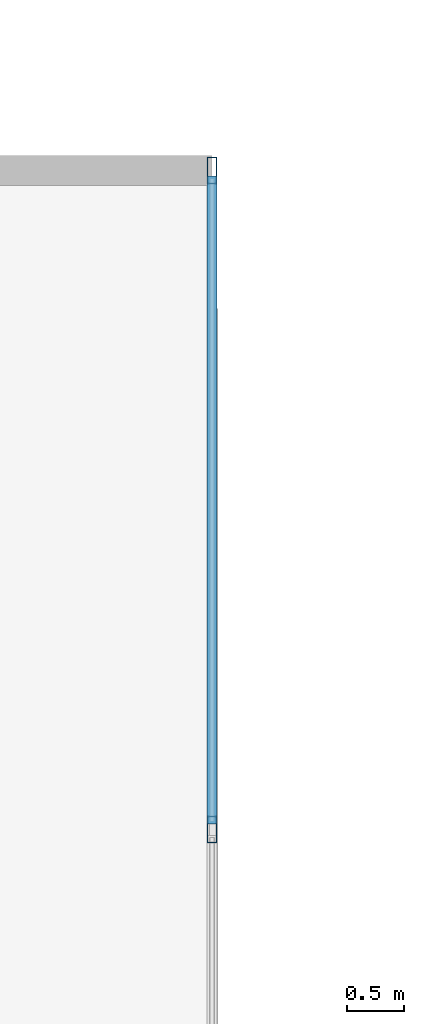
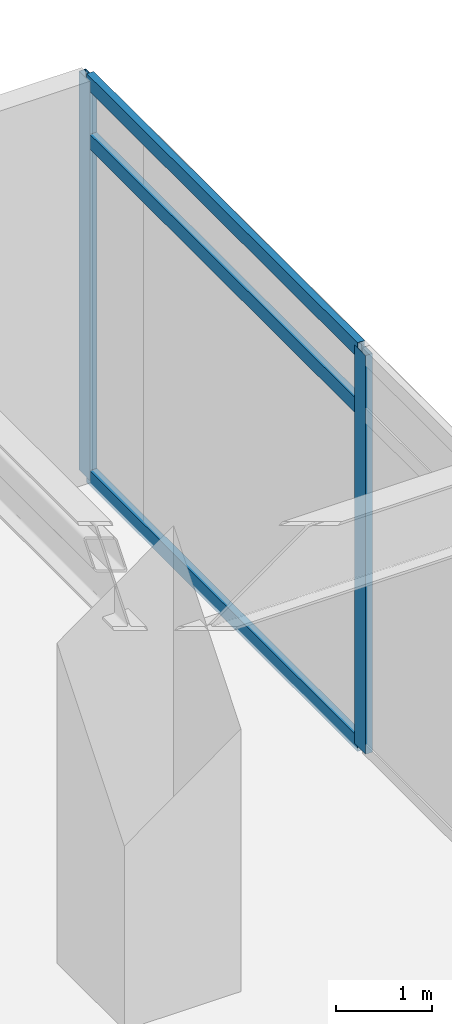
# One storey, part 18 of 24: 5 members, 1 element without a shape of its own.
"""IFC4 building model written with IfcOpenShell, lengths in metres."""

import ifcopenshell
import ifcopenshell.guid

model = None  # the IFC model being written
_history = None  # IfcOwnerHistory: only IFC2X3 demands one
_inside = {}  # id of a spatial element -> (the spatial element, [elements in it])
_under = {}  # id of a project, library or spatial element -> (it, [spatial elements below it])
_declared = {}  # id of a project -> (the project, [libraries it declares])
_typed = {}  # id of a type object -> (the type object, [elements of that type])
_made_of = {}  # id of a material, layer set ... -> (it, [elements and type objects made of it])


def new_model(schema):
    """Start an empty IFC model of exactly this schema.

    Asked for "IFC4X3", IfcOpenShell would pick the latest addendum, in which some entities
    have other attributes; the version numbers below select the first issue.
    IFC2X3 requires an IfcOwnerHistory on every rooted entity: one is made here for all.
    """
    global model, _history
    if schema == "IFC4X3":
        model = ifcopenshell.file(schema_version=(4, 3, 0, 0))
    else:
        model = ifcopenshell.file(schema=schema)
    _inside.clear()
    _under.clear()
    _declared.clear()
    _typed.clear()
    _made_of.clear()
    _history = None
    if model.schema == "IFC2X3":
        org = make("IfcOrganization", Name="unknown")
        user = make(
            "IfcPersonAndOrganization",
            ThePerson=make("IfcPerson", FamilyName="unknown"),
            TheOrganization=org,
        )
        app = make(
            "IfcApplication",
            ApplicationDeveloper=org,
            Version="unknown",
            ApplicationFullName="unknown",
            ApplicationIdentifier="unknown",
        )
        _history = make(
            "IfcOwnerHistory",
            OwningUser=user,
            OwningApplication=app,
            ChangeAction="ADDED",
            CreationDate=0,
        )
    return model


def make(cls, **values):
    """One entity of the class cls with the attributes given. An attribute that is None is left unset."""
    return model.create_entity(
        cls, **{name: value for name, value in values.items() if value is not None}
    )


def rooted(cls, **values):
    """An entity with a GlobalId (a new one), such as an element, a storey or a relation."""
    return make(cls, GlobalId=ifcopenshell.guid.new(), OwnerHistory=_history, **values)


def si_unit(unit_type, name, prefix=None):
    """IfcSIUnit, for example si_unit("LENGTHUNIT", "METRE", prefix="MILLI")."""
    return make("IfcSIUnit", UnitType=unit_type, Prefix=prefix, Name=name)


def assignment(units):
    """IfcUnitAssignment: the units of a project."""
    return None if units is None else make("IfcUnitAssignment", Units=units)


def point(xyz):
    """IfcCartesianPoint."""
    return None if xyz is None else make("IfcCartesianPoint", Coordinates=xyz)


def direction(xyz):
    """IfcDirection."""
    return None if xyz is None else make("IfcDirection", DirectionRatios=xyz)


def frame(location, z_axis=None, x_axis=None):
    """IfcAxis2Placement3D, a coordinate frame: its origin and axes. An axis left out is left unset."""
    return make(
        "IfcAxis2Placement3D",
        Location=point(location),
        Axis=direction(z_axis),
        RefDirection=direction(x_axis),
    )


def frame_2d(location, x_axis=None):
    """IfcAxis2Placement2D, a coordinate frame in the plane: its origin and x axis."""
    return make(
        "IfcAxis2Placement2D", Location=point(location), RefDirection=direction(x_axis)
    )


def origin():
    """The frame at (0, 0, 0) with its axes left unset."""
    return frame((0.0, 0.0, 0.0))


def origin_2d():
    """The frame at (0, 0) in the plane with its x axis left unset."""
    return frame_2d((0.0, 0.0))


def place(relative_to, where):
    """IfcLocalPlacement: puts the frame where relative to a parent placement (None: the world)."""
    return make(
        "IfcLocalPlacement", PlacementRelTo=relative_to, RelativePlacement=where
    )


def context(
    kind, dimensions, precision=None, world=None, true_north=None, identifier=None
):
    """IfcGeometricRepresentationContext, for example the 3D "Model" context."""
    return make(
        "IfcGeometricRepresentationContext",
        ContextIdentifier=identifier,
        ContextType=kind,
        CoordinateSpaceDimension=dimensions,
        Precision=precision,
        WorldCoordinateSystem=world,
        TrueNorth=true_north,
    )


def subcontext(parent, identifier, kind, view, scale=None):
    """IfcGeometricRepresentationSubContext, for example "Body" below "Model"."""
    return make(
        "IfcGeometricRepresentationSubContext",
        ContextIdentifier=identifier,
        ContextType=kind,
        ParentContext=parent,
        TargetScale=scale,
        TargetView=view,
    )


def project(units=None, contexts=None):
    """IfcProject with its units and contexts."""
    return rooted(
        "IfcProject",
        Name="project",
        RepresentationContexts=contexts,
        UnitsInContext=assignment(units),
    )


def spatial(cls, under=None, at=None, **own):
    """A site, building, storey or space (cls), placed at a placement, below another one or the project."""
    s = rooted(cls, ObjectPlacement=at, **own)
    if under is not None:
        _under.setdefault(under.id(), (under, []))[1].append(s)
    return s


def profile(cls, at=None, kind="AREA", **sizes):
    """A parametric profile (cls). Its sizes go by their IFC names, for example OverallWidth=200.0."""
    return make(cls, ProfileType=kind, Position=at, **sizes)


def hollow_rectangle(**sizes):
    """IfcRectangleHollowProfileDef."""
    return profile("IfcRectangleHollowProfileDef", **sizes)


def extrude(swept, where, along, depth):
    """IfcExtrudedAreaSolid: the profile swept, set in the frame where, extruded along a direction by depth."""
    return make(
        "IfcExtrudedAreaSolid",
        SweptArea=swept,
        Position=where,
        ExtrudedDirection=direction(along),
        Depth=depth,
    )


def shape(context_of_items, identifier, shape_type, items):
    """IfcShapeRepresentation: the items that make up one representation, for example the "Body"."""
    return make(
        "IfcShapeRepresentation",
        ContextOfItems=context_of_items,
        RepresentationIdentifier=identifier,
        RepresentationType=shape_type,
        Items=items,
    )


def material(Name=None, Category=None):
    """IfcMaterial."""
    return make("IfcMaterial", Name=Name, Category=Category)


def material_profile(
    of_material, cross_section, Name=None, Category=None, Priority=None
):
    """IfcMaterialProfile: a cross section and its material."""
    return make(
        "IfcMaterialProfile",
        Name=Name,
        Material=of_material,
        Profile=cross_section,
        Priority=Priority,
        Category=Category,
    )


def profile_set(profiles, Name=None, composite=None):
    """IfcMaterialProfileSet."""
    return make(
        "IfcMaterialProfileSet",
        Name=Name,
        MaterialProfiles=profiles,
        CompositeProfile=composite,
    )


def made_of(thing, what):
    """Note that an element or type object is made of a material, layer set ...; save() writes the relation."""
    if what is not None:
        _made_of.setdefault(what.id(), (what, []))[1].append(thing)
    return thing


def type_object(cls, material=None, **own):
    """A type object (cls), such as IfcWallType, which elements share."""
    return made_of(rooted(cls, **own), material)


def element(
    cls,
    number,
    at=None,
    inside=None,
    cuts=None,
    type_object=None,
    material=None,
    context=None,
    identifier="Body",
    shape_type=None,
    held_by="IfcProductDefinitionShape",
    body=None,
    shapes=None,
    **own,
):
    """One element of the class cls, such as IfcWall. Its Tag is "e" and its number.

    at: its placement. inside: the storey or other place that contains it. cuts: it is an
    opening in that element (IfcRelVoidsElement). A single representation is given by context,
    identifier, shape_type and body (its items); several are given by shapes. held_by: the class
    of the entity that holds the representations. save() writes the other relations.
    """
    e = rooted(cls, Tag="e%d" % number, ObjectPlacement=at, **own)
    if body is not None:
        shapes = [shape(context, identifier, shape_type, body)]
    if shapes is not None:
        e.Representation = make(held_by, Representations=shapes)
    if inside is not None:
        _inside.setdefault(inside.id(), (inside, []))[1].append(e)
    if cuts is not None:
        rooted(
            "IfcRelVoidsElement", RelatingBuildingElement=cuts, RelatedOpeningElement=e
        )
    if type_object is not None:
        _typed.setdefault(type_object.id(), (type_object, []))[1].append(e)
    return made_of(e, material)


def aggregate(whole, parts):
    """IfcRelAggregates: a whole, such as a stair, and the parts it consists of."""
    return rooted("IfcRelAggregates", RelatingObject=whole, RelatedObjects=parts)


def save(model, path):
    """Write the relations noted so far, then the file.

    IfcRelAggregates (storeys below a building ...), IfcRelContainedInSpatialStructure (elements
    in a storey), IfcRelDefinesByType, IfcRelAssociatesMaterial and IfcRelDeclares: one each for
    every whole, place, type object, material and project.
    """
    for whole, parts in _under.values():
        aggregate(whole, parts)
    for where, things in _inside.values():
        rooted(
            "IfcRelContainedInSpatialStructure",
            RelatedElements=things,
            RelatingStructure=where,
        )
    for kind, things in _typed.values():
        rooted("IfcRelDefinesByType", RelatedObjects=things, RelatingType=kind)
    for what, things in _made_of.values():
        rooted("IfcRelAssociatesMaterial", RelatedObjects=things, RelatingMaterial=what)
    for by, libraries in _declared.values():
        rooted("IfcRelDeclares", RelatingContext=by, RelatedDefinitions=libraries)
    model.write(path)


model = new_model("IFC4")

# Units and contexts
model_context = context("Model", 3, precision=1e-05, world=origin(), true_north=direction((0.0, 1.0)))
body_context = subcontext(model_context, "Body", "Model", "MODEL_VIEW")
ifc_project = project(units=[si_unit("LENGTHUNIT", "METRE"), si_unit("AREAUNIT", "SQUARE_METRE"), si_unit("VOLUMEUNIT", "CUBIC_METRE"), si_unit("PLANEANGLEUNIT", "RADIAN"), si_unit("MASSUNIT", "GRAM", prefix="KILO")], contexts=[model_context])

# Site, building, storey
site_placement = place(None, origin())
site = spatial("IfcSite", under=ifc_project, at=site_placement, CompositionType="ELEMENT")
building_placement = place(site_placement, origin())
building = spatial("IfcBuilding", under=site, at=building_placement, Name="Kovane Verandah Tower", CompositionType="ELEMENT")
storey_placement = place(building_placement, frame((0.0, 0.0, 194.800048828125)))
storey = spatial("IfcBuildingStorey", under=building, at=storey_placement, Name="L45", CompositionType="ELEMENT", Elevation=194.800048828125)

# Curtain wall, members
ifc_material_1 = material(Name="Champagne Anodised Aluminium Frame with Low-E Clear Laminated Glass", Category="aluminium")
curtain_wall_type = type_object("IfcCurtainWallType", Name="CW-SYS-04-WAIST", PredefinedType="NOTDEFINED", material=ifc_material_1)
curtain_wall_placement = place(storey_placement, origin())
curtain_wall = element("IfcCurtainWall", 1, at=curtain_wall_placement, inside=storey, type_object=curtain_wall_type, Name="L45 E Unitised Curtain Wall", PredefinedType="NOTDEFINED")
ifc_material_2 = material(Name="Champagne Anodised Aluminium 6063-T6", Category="aluminium")
ifc_material_profile_1 = material_profile(ifc_material_2, hollow_rectangle(XDim=0.0849609375, YDim=0.22998046875, WallThickness=0.00390625, at=origin_2d()), Name="AL85x230x4")
ifc_profile_set_1 = profile_set([ifc_material_profile_1], Name="Champagne Anodised Aluminium 6063-T6")
member_type_1 = type_object("IfcMemberType", Name="CW-MUL-85x230", PredefinedType="MULLION", material=ifc_profile_set_1)
member_1_placement = place(storey_placement, frame((62.39990234375, 38.966796875, 0.02001953125), z_axis=(0.0, 0.0, 1.0), x_axis=(1.0, 0.0, 0.0)))
member_1 = element("IfcMember", 2, at=member_1_placement, type_object=member_type_1, Name="L45 E Unitised Curtain Wall Mullion 6", PredefinedType="MULLION", context=body_context, shape_type="SweptSolid", body=[
    extrude(hollow_rectangle(XDim=0.0849609375, YDim=0.22998046875, WallThickness=0.00390625, at=origin_2d()), origin(), (0.0, 0.0, 1.0), 5.059814453125),
])
member_2_placement = place(storey_placement, frame((62.39990234375, 44.699951171875, 0.02001953125), z_axis=(0.0, 0.0, 1.0), x_axis=(1.0, 0.0, 0.0)))
member_2 = element("IfcMember", 3, at=member_2_placement, type_object=member_type_1, Name="L45 E Unitised Curtain Wall Mullion 7", PredefinedType="MULLION", context=body_context, shape_type="SweptSolid", body=[
    extrude(hollow_rectangle(XDim=0.0849609375, YDim=0.22998046875, WallThickness=0.00390625, at=origin_2d()), origin(), (0.0, 0.0, 1.0), 5.059814453125),
])
ifc_material_profile_2 = material_profile(ifc_material_2, hollow_rectangle(XDim=0.0849609375, YDim=0.18994140625, WallThickness=0.00390625, at=origin_2d()), Name="AL85x190x4")
ifc_profile_set_2 = profile_set([ifc_material_profile_2], Name="Champagne Anodised Aluminium 6063-T6")
member_type_2 = type_object("IfcMemberType", Name="CW-TRN-85x190", PredefinedType="USERDEFINED", material=ifc_profile_set_2)
member_3_placement = place(storey_placement, frame((62.39990234375, 39.0166015625, 0.050048828125), z_axis=(0.0, 1.0, 0.0), x_axis=(-1.0, 0.0, 0.0)))
member_3 = element("IfcMember", 4, at=member_3_placement, type_object=member_type_2, Name="L45 E Unitised Curtain Wall Transom TB Bay 6", ObjectType="TRANSOM", PredefinedType="USERDEFINED", context=body_context, shape_type="SweptSolid", body=[
    extrude(hollow_rectangle(XDim=0.0849609375, YDim=0.18994140625, WallThickness=0.00390625, at=origin_2d()), origin(), (0.0, 0.0, 1.0), 5.63330078125),
])
member_4_placement = place(storey_placement, frame((62.39990234375, 39.0166015625, 4.320068359375), z_axis=(0.0, 1.0, 0.0), x_axis=(-1.0, 0.0, 0.0)))
member_4 = element("IfcMember", 5, at=member_4_placement, type_object=member_type_2, Name="L45 E Unitised Curtain Wall Transom TM Bay 6", ObjectType="TRANSOM", PredefinedType="USERDEFINED", context=body_context, shape_type="SweptSolid", body=[
    extrude(hollow_rectangle(XDim=0.0849609375, YDim=0.18994140625, WallThickness=0.00390625, at=origin_2d()), origin(), (0.0, 0.0, 1.0), 5.63330078125),
])
member_5_placement = place(storey_placement, frame((62.39990234375, 39.0166015625, 5.050048828125), z_axis=(0.0, 1.0, 0.0), x_axis=(-1.0, 0.0, 0.0)))
member_5 = element("IfcMember", 6, at=member_5_placement, type_object=member_type_2, Name="L45 E Unitised Curtain Wall Transom TT Bay 6", ObjectType="TRANSOM", PredefinedType="USERDEFINED", context=body_context, shape_type="SweptSolid", body=[
    extrude(hollow_rectangle(XDim=0.0849609375, YDim=0.18994140625, WallThickness=0.00390625, at=origin_2d()), origin(), (0.0, 0.0, 1.0), 5.63330078125),
])
aggregate(curtain_wall, [member_1, member_2, member_3, member_4, member_5])

save(model, "model.ifc")
